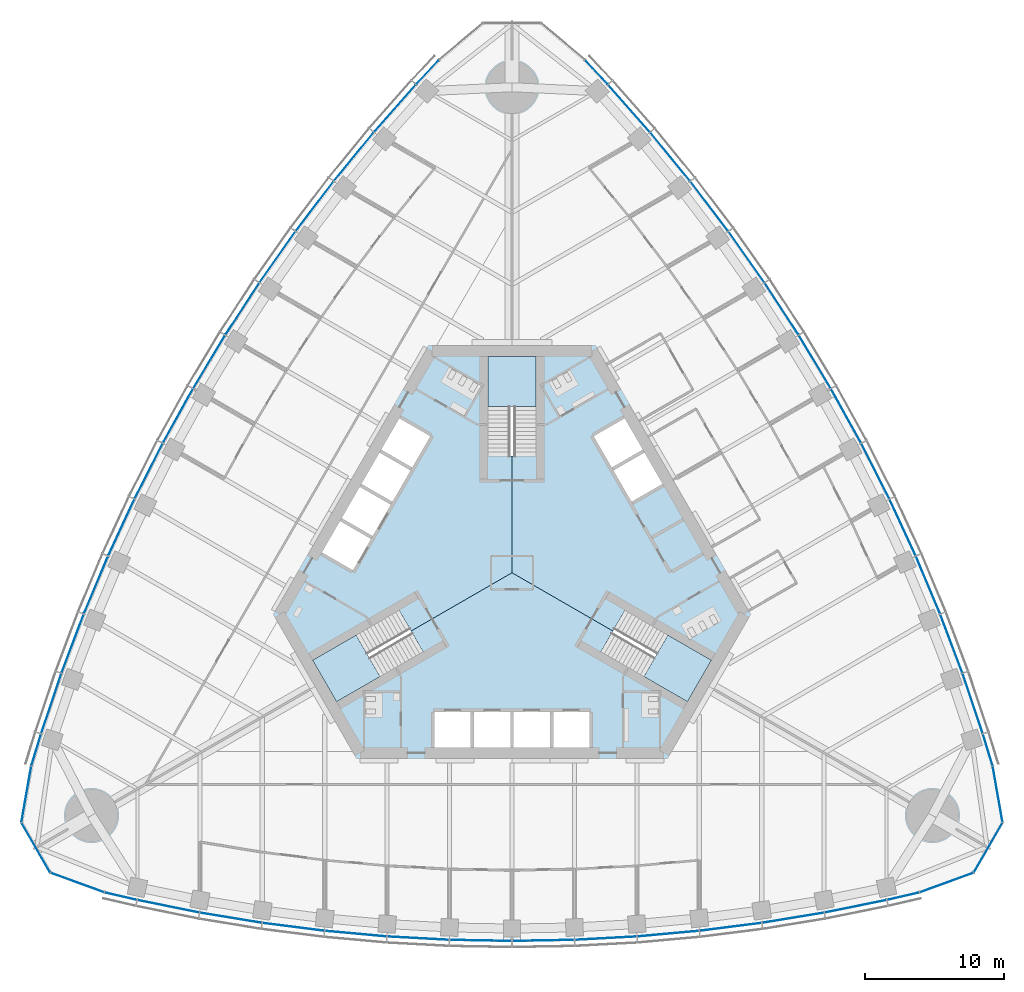
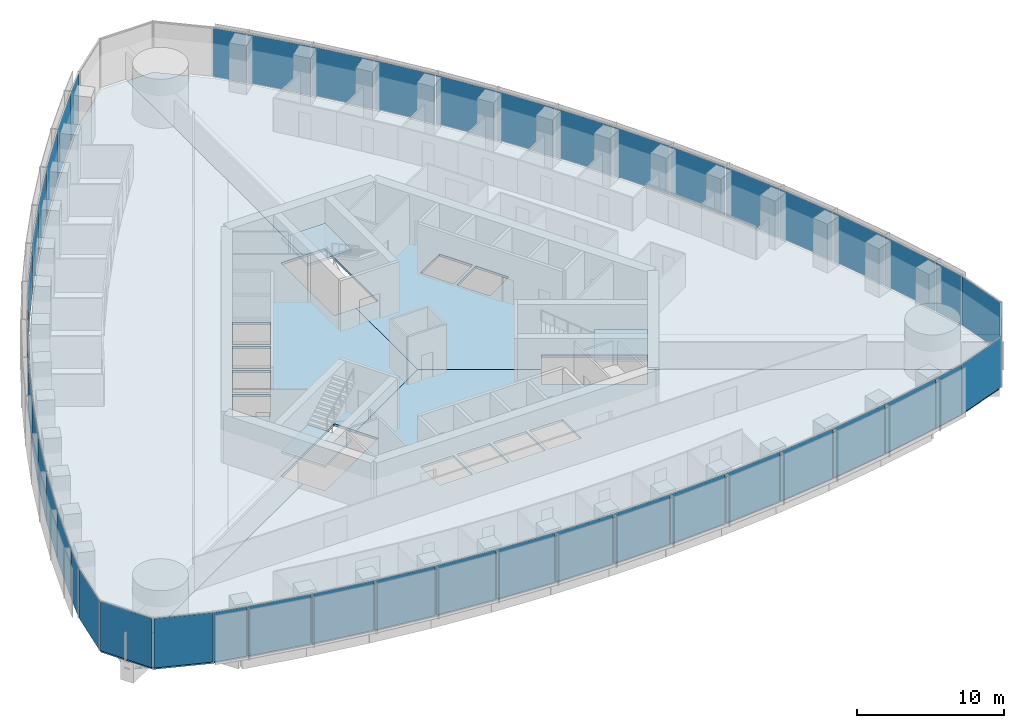
# One storey, part 10 of 21: 48 plates, 6 slabs, 8 elements without a shape of their own.
"""IFC4 building model written with IfcOpenShell, lengths in metres."""

from ifc_helpers import new_model, si_unit, direction, frame, origin, origin_2d, place, context, subcontext, project, spatial, polyline, rectangle, outline, extrude, material, layer, layer_set, type_object, element, aggregate, save


model = new_model("IFC4")

# Units and contexts
model_context = context("Model", 3, precision=1e-05, world=origin(), true_north=direction((0.0, 1.0)))
body_context = subcontext(model_context, "Body", "Model", "MODEL_VIEW")
ifc_project = project(units=[si_unit("LENGTHUNIT", "METRE"), si_unit("AREAUNIT", "SQUARE_METRE"), si_unit("VOLUMEUNIT", "CUBIC_METRE"), si_unit("PLANEANGLEUNIT", "RADIAN"), si_unit("MASSUNIT", "GRAM", prefix="KILO")], contexts=[model_context])

# Site, building, storey
site_placement = place(None, origin())
site = spatial("IfcSite", under=ifc_project, at=site_placement, CompositionType="ELEMENT")
building_placement = place(site_placement, origin())
building = spatial("IfcBuilding", under=site, at=building_placement, Name="Trefoil Bronze Tower", CompositionType="ELEMENT")
storey_placement = place(building_placement, frame((0.0, 0.0, 153.5)))
storey = spatial("IfcBuildingStorey", under=building, at=storey_placement, Name="L35", CompositionType="ELEMENT", Elevation=153.5)

# Curtain wall, plates
ifc_material_1 = material(Name="Tinted solar-control glass", Category="glass")
curtain_wall_type_1 = type_object("IfcCurtainWallType", Name="Bronze office curtain wall", PredefinedType="USERDEFINED", material=ifc_material_1)
curtain_wall_1_placement = place(storey_placement, origin())
curtain_wall_1 = element("IfcCurtainWall", 1, at=curtain_wall_1_placement, inside=storey, type_object=curtain_wall_type_1, Name="CW-A L35 F1", ObjectType="CURTAIN WALL", PredefinedType="USERDEFINED")
ifc_material_2 = material(Name="Tinted solar-control glass", Category="glass")
ifc_layer_1 = layer(ifc_material_2, 0.030029296875)
ifc_layer_set_1 = layer_set([ifc_layer_1], Name="Bronze office curtain wall glass panel")
plate_type_1 = type_object("IfcPlateType", Name="Bronze office curtain wall glass panel", PredefinedType="CURTAIN_PANEL", material=ifc_layer_set_1)
plate_1_placement = place(storey_placement, frame((-28.201416015625, -23.320068359375, 0.0), z_axis=(0.0, 0.0, 1.0), x_axis=(0.97420444715, -0.225667222151, 0.0)))
plate_1 = element("IfcPlate", 2, at=plate_1_placement, type_object=plate_type_1, Name="CW-A L35 F1 panel 1", PredefinedType="CURTAIN_PANEL", context=body_context, shape_type="SweptSolid", body=[
    extrude(rectangle(XDim=2.340087890625, YDim=0.030029296875, at=origin_2d()), origin(), (0.0, 0.0, 1.0), 4.080078125),
])
plate_2_placement = place(storey_placement, frame((-24.769775390625, -24.048828125, 0.0), z_axis=(0.0, 0.0, 1.0), x_axis=(0.980155155547, -0.198231861853, 0.0)))
plate_2 = element("IfcPlate", 3, at=plate_2_placement, type_object=plate_type_1, Name="CW-A L35 F1 panel 2", PredefinedType="CURTAIN_PANEL", context=body_context, shape_type="SweptSolid", body=[
    extrude(rectangle(XDim=4.51123046875, YDim=0.030029296875, at=origin_2d()), origin(), (0.0, 0.0, 1.0), 4.080078125),
])
plate_3_placement = place(storey_placement, frame((-20.26611328125, -24.87451171875, 0.0), z_axis=(0.0, 0.0, 1.0), x_axis=(0.986759655731, -0.162189339418, 0.0)))
plate_3 = element("IfcPlate", 4, at=plate_3_placement, type_object=plate_type_1, Name="CW-A L35 F1 panel 3", PredefinedType="CURTAIN_PANEL", context=body_context, shape_type="SweptSolid", body=[
    extrude(rectangle(XDim=4.48046875, YDim=0.030029296875, at=origin_2d()), origin(), (0.0, 0.0, 1.0), 4.080078125),
])
plate_4_placement = place(storey_placement, frame((-15.7626953125, -25.53076171875, 0.0), z_axis=(0.0, 0.0, 1.0), x_axis=(0.992011554286, -0.126147041833, 0.0)))
plate_4 = element("IfcPlate", 5, at=plate_4_placement, type_object=plate_type_1, Name="CW-A L35 F1 panel 4", PredefinedType="CURTAIN_PANEL", context=body_context, shape_type="SweptSolid", body=[
    extrude(rectangle(XDim=4.456298828125, YDim=0.030029296875, at=origin_2d()), origin(), (0.0, 0.0, 1.0), 4.080078125),
])
plate_5_placement = place(storey_placement, frame((-11.259033203125, -26.02099609375, 0.0), z_axis=(0.0, 0.0, 1.0), x_axis=(0.995932279146, -0.090104913044, 0.0)))
plate_5 = element("IfcPlate", 6, at=plate_5_placement, type_object=plate_type_1, Name="CW-A L35 F1 panel 5", PredefinedType="CURTAIN_PANEL", context=body_context, shape_type="SweptSolid", body=[
    extrude(rectangle(XDim=4.4384765625, YDim=0.030029296875, at=origin_2d()), origin(), (0.0, 0.0, 1.0), 4.080078125),
])
plate_6_placement = place(storey_placement, frame((-6.75537109375, -26.3466796875, 0.0), z_axis=(0.0, 0.0, 1.0), x_axis=(0.998537531923, -0.054062901701, 0.0)))
plate_6 = element("IfcPlate", 7, at=plate_6_placement, type_object=plate_type_1, Name="CW-A L35 F1 panel 6", PredefinedType="CURTAIN_PANEL", context=body_context, shape_type="SweptSolid", body=[
    extrude(rectangle(XDim=4.426513671875, YDim=0.030029296875, at=origin_2d()), origin(), (0.0, 0.0, 1.0), 4.080078125),
])
plate_7_placement = place(storey_placement, frame((-2.251708984375, -26.509033203125, 0.0), z_axis=(0.0, 0.0, 1.0), x_axis=(0.999837609322, -0.018020959612, 0.0)))
plate_7 = element("IfcPlate", 8, at=plate_7_placement, type_object=plate_type_1, Name="CW-A L35 F1 panel 7", PredefinedType="CURTAIN_PANEL", context=body_context, shape_type="SweptSolid", body=[
    extrude(rectangle(XDim=4.420654296875, YDim=0.030029296875, at=origin_2d()), origin(), (0.0, 0.0, 1.0), 4.080078125),
])
plate_8_placement = place(storey_placement, frame((2.251708984375, -26.509033203125, 0.0), z_axis=(0.0, 0.0, 1.0), x_axis=(0.999837609322, 0.018020959612, 0.0)))
plate_8 = element("IfcPlate", 9, at=plate_8_placement, type_object=plate_type_1, Name="CW-A L35 F1 panel 8", PredefinedType="CURTAIN_PANEL", context=body_context, shape_type="SweptSolid", body=[
    extrude(rectangle(XDim=4.420654296875, YDim=0.030029296875, at=origin_2d()), origin(), (0.0, 0.0, 1.0), 4.080078125),
])
plate_9_placement = place(storey_placement, frame((6.75537109375, -26.3466796875, 0.0), z_axis=(0.0, 0.0, 1.0), x_axis=(0.998537531923, 0.054062901701, 0.0)))
plate_9 = element("IfcPlate", 10, at=plate_9_placement, type_object=plate_type_1, Name="CW-A L35 F1 panel 9", PredefinedType="CURTAIN_PANEL", context=body_context, shape_type="SweptSolid", body=[
    extrude(rectangle(XDim=4.426513671875, YDim=0.030029296875, at=origin_2d()), origin(), (0.0, 0.0, 1.0), 4.080078125),
])
plate_10_placement = place(storey_placement, frame((11.259033203125, -26.02099609375, 0.0), z_axis=(0.0, 0.0, 1.0), x_axis=(0.995932279146, 0.090104913044, 0.0)))
plate_10 = element("IfcPlate", 11, at=plate_10_placement, type_object=plate_type_1, Name="CW-A L35 F1 panel 10", PredefinedType="CURTAIN_PANEL", context=body_context, shape_type="SweptSolid", body=[
    extrude(rectangle(XDim=4.4384765625, YDim=0.030029296875, at=origin_2d()), origin(), (0.0, 0.0, 1.0), 4.080078125),
])
plate_11_placement = place(storey_placement, frame((15.7626953125, -25.53076171875, 0.0), z_axis=(0.0, 0.0, 1.0), x_axis=(0.992011554286, 0.126147041833, 0.0)))
plate_11 = element("IfcPlate", 12, at=plate_11_placement, type_object=plate_type_1, Name="CW-A L35 F1 panel 11", PredefinedType="CURTAIN_PANEL", context=body_context, shape_type="SweptSolid", body=[
    extrude(rectangle(XDim=4.456298828125, YDim=0.030029296875, at=origin_2d()), origin(), (0.0, 0.0, 1.0), 4.080078125),
])
plate_12_placement = place(storey_placement, frame((20.26611328125, -24.87451171875, 0.0), z_axis=(0.0, 0.0, 1.0), x_axis=(0.986759655731, 0.162189339418, 0.0)))
plate_12 = element("IfcPlate", 13, at=plate_12_placement, type_object=plate_type_1, Name="CW-A L35 F1 panel 12", PredefinedType="CURTAIN_PANEL", context=body_context, shape_type="SweptSolid", body=[
    extrude(rectangle(XDim=4.48046875, YDim=0.030029296875, at=origin_2d()), origin(), (0.0, 0.0, 1.0), 4.080078125),
])
plate_13_placement = place(storey_placement, frame((24.769775390625, -24.048828125, 0.0), z_axis=(0.0, 0.0, 1.0), x_axis=(0.980155155547, 0.198231861853, 0.0)))
plate_13 = element("IfcPlate", 14, at=plate_13_placement, type_object=plate_type_1, Name="CW-A L35 F1 panel 13", PredefinedType="CURTAIN_PANEL", context=body_context, shape_type="SweptSolid", body=[
    extrude(rectangle(XDim=4.51123046875, YDim=0.030029296875, at=origin_2d()), origin(), (0.0, 0.0, 1.0), 4.080078125),
])
plate_14_placement = place(storey_placement, frame((28.201416015625, -23.320068359375, 0.0), z_axis=(0.0, 0.0, 1.0), x_axis=(0.97420444715, 0.225667222151, 0.0)))
plate_14 = element("IfcPlate", 15, at=plate_14_placement, type_object=plate_type_1, Name="CW-A L35 F1 panel 14", PredefinedType="CURTAIN_PANEL", context=body_context, shape_type="SweptSolid", body=[
    extrude(rectangle(XDim=2.340087890625, YDim=0.030029296875, at=origin_2d()), origin(), (0.0, 0.0, 1.0), 4.080078125),
])
aggregate(curtain_wall_1, [plate_1, plate_2, plate_3, plate_4, plate_5, plate_6, plate_7, plate_8, plate_9, plate_10, plate_11, plate_12, plate_13, plate_14])

curtain_wall_2_placement = place(storey_placement, origin())
curtain_wall_2 = element("IfcCurtainWall", 16, at=curtain_wall_2_placement, inside=storey, type_object=curtain_wall_type_1, Name="CW-A L35 F2", ObjectType="CURTAIN WALL", PredefinedType="USERDEFINED")
plate_15_placement = place(storey_placement, frame((34.296630859375, -12.762939453125, 0.0), z_axis=(0.0, 0.0, 1.0), x_axis=(-0.291668676391, 0.956519410787, 0.0)))
plate_15 = element("IfcPlate", 17, at=plate_15_placement, type_object=plate_type_1, Name="CW-A L35 F2 panel 1", PredefinedType="CURTAIN_PANEL", context=body_context, shape_type="SweptSolid", body=[
    extrude(rectangle(XDim=2.340087890625, YDim=0.030029296875, at=origin_2d()), origin(), (0.0, 0.0, 1.0), 4.080078125),
])
plate_16_placement = place(storey_placement, frame((33.2119140625, -9.4267578125, 0.0), z_axis=(0.0, 0.0, 1.0), x_axis=(-0.318403749569, 0.947955195281, 0.0)))
plate_16 = element("IfcPlate", 18, at=plate_16_placement, type_object=plate_type_1, Name="CW-A L35 F2 panel 2", PredefinedType="CURTAIN_PANEL", context=body_context, shape_type="SweptSolid", body=[
    extrude(rectangle(XDim=4.51123046875, YDim=0.030029296875, at=origin_2d()), origin(), (0.0, 0.0, 1.0), 4.080078125),
])
plate_17_placement = place(storey_placement, frame((31.675048828125, -5.11376953125, 0.0), z_axis=(0.0, 0.0, 1.0), x_axis=(-0.352919739707, 0.935653599002, 0.0)))
plate_17 = element("IfcPlate", 19, at=plate_17_placement, type_object=plate_type_1, Name="CW-A L35 F2 panel 3", PredefinedType="CURTAIN_PANEL", context=body_context, shape_type="SweptSolid", body=[
    extrude(rectangle(XDim=4.48046875, YDim=0.030029296875, at=origin_2d()), origin(), (0.0, 0.0, 1.0), 4.080078125),
])
plate_18_placement = place(storey_placement, frame((29.99169921875, -0.885498046875, 0.0), z_axis=(0.0, 0.0, 1.0), x_axis=(-0.386759234303, 0.922180727776, 0.0)))
plate_18 = element("IfcPlate", 20, at=plate_18_placement, type_object=plate_type_1, Name="CW-A L35 F2 panel 4", PredefinedType="CURTAIN_PANEL", context=body_context, shape_type="SweptSolid", body=[
    extrude(rectangle(XDim=4.456298828125, YDim=0.030029296875, at=origin_2d()), origin(), (0.0, 0.0, 1.0), 4.080078125),
])
plate_19_placement = place(storey_placement, frame((28.164306640625, 3.260009765625, 0.0), z_axis=(0.0, 0.0, 1.0), x_axis=(-0.419932995871, 0.907555110712, 0.0)))
plate_19 = element("IfcPlate", 21, at=plate_19_placement, type_object=plate_type_1, Name="CW-A L35 F2 panel 5", PredefinedType="CURTAIN_PANEL", context=body_context, shape_type="SweptSolid", body=[
    extrude(rectangle(XDim=4.4384765625, YDim=0.030029296875, at=origin_2d()), origin(), (0.0, 0.0, 1.0), 4.080078125),
])
plate_20_placement = place(storey_placement, frame((26.194580078125, 7.322998046875, 0.0), z_axis=(0.0, 0.0, 1.0), x_axis=(-0.452448919686, 0.891790320128, 0.0)))
plate_20 = element("IfcPlate", 22, at=plate_20_placement, type_object=plate_type_1, Name="CW-A L35 F2 panel 6", PredefinedType="CURTAIN_PANEL", context=body_context, shape_type="SweptSolid", body=[
    extrude(rectangle(XDim=4.426513671875, YDim=0.030029296875, at=origin_2d()), origin(), (0.0, 0.0, 1.0), 4.080078125),
])
plate_21_placement = place(storey_placement, frame((24.08349609375, 11.304443359375, 0.0), z_axis=(0.0, 0.0, 1.0), x_axis=(-0.484312195836, 0.874895249138, 0.0)))
plate_21 = element("IfcPlate", 23, at=plate_21_placement, type_object=plate_type_1, Name="CW-A L35 F2 panel 7", PredefinedType="CURTAIN_PANEL", context=body_context, shape_type="SweptSolid", body=[
    extrude(rectangle(XDim=4.420654296875, YDim=0.030029296875, at=origin_2d()), origin(), (0.0, 0.0, 1.0), 4.080078125),
])
plate_22_placement = place(storey_placement, frame((21.83154296875, 15.20458984375, 0.0), z_axis=(0.0, 0.0, 1.0), x_axis=(-0.515525413486, 0.856874289526, 0.0)))
plate_22 = element("IfcPlate", 24, at=plate_22_placement, type_object=plate_type_1, Name="CW-A L35 F2 panel 8", PredefinedType="CURTAIN_PANEL", context=body_context, shape_type="SweptSolid", body=[
    extrude(rectangle(XDim=4.420654296875, YDim=0.030029296875, at=origin_2d()), origin(), (0.0, 0.0, 1.0), 4.080078125),
])
plate_23_placement = place(storey_placement, frame((19.439208984375, 19.023681640625, 0.0), z_axis=(0.0, 0.0, 1.0), x_axis=(-0.546088612237, 0.837727418427, 0.0)))
plate_23 = element("IfcPlate", 25, at=plate_23_placement, type_object=plate_type_1, Name="CW-A L35 F2 panel 9", PredefinedType="CURTAIN_PANEL", context=body_context, shape_type="SweptSolid", body=[
    extrude(rectangle(XDim=4.426513671875, YDim=0.030029296875, at=origin_2d()), origin(), (0.0, 0.0, 1.0), 4.080078125),
])
plate_24_placement = place(storey_placement, frame((16.9052734375, 22.760986328125, 0.0), z_axis=(0.0, 0.0, 1.0), x_axis=(-0.575999283275, 0.817450197667, 0.0)))
plate_24 = element("IfcPlate", 26, at=plate_24_placement, type_object=plate_type_1, Name="CW-A L35 F2 panel 10", PredefinedType="CURTAIN_PANEL", context=body_context, shape_type="SweptSolid", body=[
    extrude(rectangle(XDim=4.4384765625, YDim=0.030029296875, at=origin_2d()), origin(), (0.0, 0.0, 1.0), 4.080078125),
])
plate_25_placement = place(storey_placement, frame((14.22900390625, 26.416259765625, 0.0), z_axis=(0.0, 0.0, 1.0), x_axis=(-0.605252319983, 0.796033685943, 0.0)))
plate_25 = element("IfcPlate", 27, at=plate_25_placement, type_object=plate_type_1, Name="CW-A L35 F2 panel 11", PredefinedType="CURTAIN_PANEL", context=body_context, shape_type="SweptSolid", body=[
    extrude(rectangle(XDim=4.456298828125, YDim=0.030029296875, at=origin_2d()), origin(), (0.0, 0.0, 1.0), 4.080078125),
])
plate_26_placement = place(storey_placement, frame((11.40869140625, 29.98828125, 0.0), z_axis=(0.0, 0.0, 1.0), x_axis=(-0.633839916024, 0.773464259584, 0.0)))
plate_26 = element("IfcPlate", 28, at=plate_26_placement, type_object=plate_type_1, Name="CW-A L35 F2 panel 12", PredefinedType="CURTAIN_PANEL", context=body_context, shape_type="SweptSolid", body=[
    extrude(rectangle(XDim=4.48046875, YDim=0.030029296875, at=origin_2d()), origin(), (0.0, 0.0, 1.0), 4.080078125),
])
plate_27_placement = place(storey_placement, frame((8.442138671875, 33.475830078125, 0.0), z_axis=(0.0, 0.0, 1.0), x_axis=(-0.661751405978, 0.749723333428, 0.0)))
plate_27 = element("IfcPlate", 29, at=plate_27_placement, type_object=plate_type_1, Name="CW-A L35 F2 panel 13", PredefinedType="CURTAIN_PANEL", context=body_context, shape_type="SweptSolid", body=[
    extrude(rectangle(XDim=4.51123046875, YDim=0.030029296875, at=origin_2d()), origin(), (0.0, 0.0, 1.0), 4.080078125),
])
plate_28_placement = place(storey_placement, frame((6.09521484375, 36.083251953125, 0.0), z_axis=(0.0, 0.0, 1.0), x_axis=(-0.682535770759, 0.730852188636, 0.0)))
plate_28 = element("IfcPlate", 30, at=plate_28_placement, type_object=plate_type_1, Name="CW-A L35 F2 panel 14", PredefinedType="CURTAIN_PANEL", context=body_context, shape_type="SweptSolid", body=[
    extrude(rectangle(XDim=2.340087890625, YDim=0.030029296875, at=origin_2d()), origin(), (0.0, 0.0, 1.0), 4.080078125),
])
aggregate(curtain_wall_2, [plate_15, plate_16, plate_17, plate_18, plate_19, plate_20, plate_21, plate_22, plate_23, plate_24, plate_25, plate_26, plate_27, plate_28])

curtain_wall_3_placement = place(storey_placement, origin())
curtain_wall_3 = element("IfcCurtainWall", 31, at=curtain_wall_3_placement, inside=storey, type_object=curtain_wall_type_1, Name="CW-A L35 F3", ObjectType="CURTAIN WALL", PredefinedType="USERDEFINED")
plate_29_placement = place(storey_placement, frame((-6.09521484375, 36.083251953125, 0.0), z_axis=(0.0, 0.0, 1.0), x_axis=(-0.682535770759, -0.730852188636, 0.0)))
plate_29 = element("IfcPlate", 32, at=plate_29_placement, type_object=plate_type_1, Name="CW-A L35 F3 panel 1", PredefinedType="CURTAIN_PANEL", context=body_context, shape_type="SweptSolid", body=[
    extrude(rectangle(XDim=2.340087890625, YDim=0.030029296875, at=origin_2d()), origin(), (0.0, 0.0, 1.0), 4.080078125),
])
plate_30_placement = place(storey_placement, frame((-8.442138671875, 33.475830078125, 0.0), z_axis=(0.0, 0.0, 1.0), x_axis=(-0.661751405978, -0.749723333428, 0.0)))
plate_30 = element("IfcPlate", 33, at=plate_30_placement, type_object=plate_type_1, Name="CW-A L35 F3 panel 2", PredefinedType="CURTAIN_PANEL", context=body_context, shape_type="SweptSolid", body=[
    extrude(rectangle(XDim=4.51123046875, YDim=0.030029296875, at=origin_2d()), origin(), (0.0, 0.0, 1.0), 4.080078125),
])
plate_31_placement = place(storey_placement, frame((-11.40869140625, 29.98828125, 0.0), z_axis=(0.0, 0.0, 1.0), x_axis=(-0.633839916024, -0.773464259584, 0.0)))
plate_31 = element("IfcPlate", 34, at=plate_31_placement, type_object=plate_type_1, Name="CW-A L35 F3 panel 3", PredefinedType="CURTAIN_PANEL", context=body_context, shape_type="SweptSolid", body=[
    extrude(rectangle(XDim=4.48046875, YDim=0.030029296875, at=origin_2d()), origin(), (0.0, 0.0, 1.0), 4.080078125),
])
plate_32_placement = place(storey_placement, frame((-14.22900390625, 26.416259765625, 0.0), z_axis=(0.0, 0.0, 1.0), x_axis=(-0.605252319983, -0.796033685943, 0.0)))
plate_32 = element("IfcPlate", 35, at=plate_32_placement, type_object=plate_type_1, Name="CW-A L35 F3 panel 4", PredefinedType="CURTAIN_PANEL", context=body_context, shape_type="SweptSolid", body=[
    extrude(rectangle(XDim=4.456298828125, YDim=0.030029296875, at=origin_2d()), origin(), (0.0, 0.0, 1.0), 4.080078125),
])
plate_33_placement = place(storey_placement, frame((-16.9052734375, 22.760986328125, 0.0), z_axis=(0.0, 0.0, 1.0), x_axis=(-0.575999283275, -0.817450197667, 0.0)))
plate_33 = element("IfcPlate", 36, at=plate_33_placement, type_object=plate_type_1, Name="CW-A L35 F3 panel 5", PredefinedType="CURTAIN_PANEL", context=body_context, shape_type="SweptSolid", body=[
    extrude(rectangle(XDim=4.4384765625, YDim=0.030029296875, at=origin_2d()), origin(), (0.0, 0.0, 1.0), 4.080078125),
])
plate_34_placement = place(storey_placement, frame((-19.439208984375, 19.023681640625, 0.0), z_axis=(0.0, 0.0, 1.0), x_axis=(-0.546088612237, -0.837727418427, 0.0)))
plate_34 = element("IfcPlate", 37, at=plate_34_placement, type_object=plate_type_1, Name="CW-A L35 F3 panel 6", PredefinedType="CURTAIN_PANEL", context=body_context, shape_type="SweptSolid", body=[
    extrude(rectangle(XDim=4.426513671875, YDim=0.030029296875, at=origin_2d()), origin(), (0.0, 0.0, 1.0), 4.080078125),
])
plate_35_placement = place(storey_placement, frame((-21.83154296875, 15.20458984375, 0.0), z_axis=(0.0, 0.0, 1.0), x_axis=(-0.515525413486, -0.856874289526, 0.0)))
plate_35 = element("IfcPlate", 38, at=plate_35_placement, type_object=plate_type_1, Name="CW-A L35 F3 panel 7", PredefinedType="CURTAIN_PANEL", context=body_context, shape_type="SweptSolid", body=[
    extrude(rectangle(XDim=4.420654296875, YDim=0.030029296875, at=origin_2d()), origin(), (0.0, 0.0, 1.0), 4.080078125),
])
plate_36_placement = place(storey_placement, frame((-24.08349609375, 11.304443359375, 0.0), z_axis=(0.0, 0.0, 1.0), x_axis=(-0.484312195836, -0.874895249138, 0.0)))
plate_36 = element("IfcPlate", 39, at=plate_36_placement, type_object=plate_type_1, Name="CW-A L35 F3 panel 8", PredefinedType="CURTAIN_PANEL", context=body_context, shape_type="SweptSolid", body=[
    extrude(rectangle(XDim=4.420654296875, YDim=0.030029296875, at=origin_2d()), origin(), (0.0, 0.0, 1.0), 4.080078125),
])
plate_37_placement = place(storey_placement, frame((-26.194580078125, 7.322998046875, 0.0), z_axis=(0.0, 0.0, 1.0), x_axis=(-0.452448919686, -0.891790320128, 0.0)))
plate_37 = element("IfcPlate", 40, at=plate_37_placement, type_object=plate_type_1, Name="CW-A L35 F3 panel 9", PredefinedType="CURTAIN_PANEL", context=body_context, shape_type="SweptSolid", body=[
    extrude(rectangle(XDim=4.426513671875, YDim=0.030029296875, at=origin_2d()), origin(), (0.0, 0.0, 1.0), 4.080078125),
])
plate_38_placement = place(storey_placement, frame((-28.164306640625, 3.260009765625, 0.0), z_axis=(0.0, 0.0, 1.0), x_axis=(-0.419932995871, -0.907555110712, 0.0)))
plate_38 = element("IfcPlate", 41, at=plate_38_placement, type_object=plate_type_1, Name="CW-A L35 F3 panel 10", PredefinedType="CURTAIN_PANEL", context=body_context, shape_type="SweptSolid", body=[
    extrude(rectangle(XDim=4.4384765625, YDim=0.030029296875, at=origin_2d()), origin(), (0.0, 0.0, 1.0), 4.080078125),
])
plate_39_placement = place(storey_placement, frame((-29.99169921875, -0.885498046875, 0.0), z_axis=(0.0, 0.0, 1.0), x_axis=(-0.386759234303, -0.922180727776, 0.0)))
plate_39 = element("IfcPlate", 42, at=plate_39_placement, type_object=plate_type_1, Name="CW-A L35 F3 panel 11", PredefinedType="CURTAIN_PANEL", context=body_context, shape_type="SweptSolid", body=[
    extrude(rectangle(XDim=4.456298828125, YDim=0.030029296875, at=origin_2d()), origin(), (0.0, 0.0, 1.0), 4.080078125),
])
plate_40_placement = place(storey_placement, frame((-31.675048828125, -5.11376953125, 0.0), z_axis=(0.0, 0.0, 1.0), x_axis=(-0.352919739707, -0.935653599002, 0.0)))
plate_40 = element("IfcPlate", 43, at=plate_40_placement, type_object=plate_type_1, Name="CW-A L35 F3 panel 12", PredefinedType="CURTAIN_PANEL", context=body_context, shape_type="SweptSolid", body=[
    extrude(rectangle(XDim=4.48046875, YDim=0.030029296875, at=origin_2d()), origin(), (0.0, 0.0, 1.0), 4.080078125),
])
plate_41_placement = place(storey_placement, frame((-33.2119140625, -9.4267578125, 0.0), z_axis=(0.0, 0.0, 1.0), x_axis=(-0.318403749569, -0.947955195281, 0.0)))
plate_41 = element("IfcPlate", 44, at=plate_41_placement, type_object=plate_type_1, Name="CW-A L35 F3 panel 13", PredefinedType="CURTAIN_PANEL", context=body_context, shape_type="SweptSolid", body=[
    extrude(rectangle(XDim=4.51123046875, YDim=0.030029296875, at=origin_2d()), origin(), (0.0, 0.0, 1.0), 4.080078125),
])
plate_42_placement = place(storey_placement, frame((-34.296630859375, -12.762939453125, 0.0), z_axis=(0.0, 0.0, 1.0), x_axis=(-0.291668676391, -0.956519410787, 0.0)))
plate_42 = element("IfcPlate", 45, at=plate_42_placement, type_object=plate_type_1, Name="CW-A L35 F3 panel 14", PredefinedType="CURTAIN_PANEL", context=body_context, shape_type="SweptSolid", body=[
    extrude(rectangle(XDim=2.340087890625, YDim=0.030029296875, at=origin_2d()), origin(), (0.0, 0.0, 1.0), 4.080078125),
])
aggregate(curtain_wall_3, [plate_29, plate_30, plate_31, plate_32, plate_33, plate_34, plate_35, plate_36, plate_37, plate_38, plate_39, plate_40, plate_41, plate_42])

ifc_material_3 = material(Name="Tinted solar-control glass", Category="glass")
curtain_wall_type_2 = type_object("IfcCurtainWallType", Name="Bronze rounded corner curtain wall", PredefinedType="USERDEFINED", material=ifc_material_3)
curtain_wall_4_placement = place(storey_placement, origin())
curtain_wall_4 = element("IfcCurtainWall", 46, at=curtain_wall_4_placement, inside=storey, type_object=curtain_wall_type_2, Name="CW-B L35 K1", ObjectType="CURTAIN WALL", PredefinedType="USERDEFINED")
ifc_material_4 = material(Name="Tinted solar-control glass", Category="glass")
ifc_layer_2 = layer(ifc_material_4, 0.030029296875)
ifc_layer_set_2 = layer_set([ifc_layer_2], Name="Bronze rounded corner curtain wall glass panel")
plate_type_2 = type_object("IfcPlateType", Name="Bronze rounded corner curtain wall glass panel", PredefinedType="CURTAIN_PANEL", material=ifc_layer_set_2)
plate_43_placement = place(storey_placement, frame((31.3203125, -22.341796875, 0.0), z_axis=(0.0, 0.0, 1.0), x_axis=(0.939692620786, 0.342020143326, 0.0)))
plate_43 = element("IfcPlate", 47, at=plate_43_placement, type_object=plate_type_2, Name="CW-B L35 K1 panel 1", PredefinedType="CURTAIN_PANEL", context=body_context, shape_type="SweptSolid", body=[
    extrude(rectangle(XDim=4.044189453125, YDim=0.030029296875, at=origin_2d()), origin(), (0.0, 0.0, 1.0), 4.080078125),
])
plate_44_placement = place(storey_placement, frame((34.3271484375, -19.81884765625, 0.0), z_axis=(0.0, 0.0, 1.0), x_axis=(0.5, 0.866025403784, 0.0)))
plate_44 = element("IfcPlate", 48, at=plate_44_placement, type_object=plate_type_2, Name="CW-B L35 K1 panel 2", PredefinedType="CURTAIN_PANEL", context=body_context, shape_type="SweptSolid", body=[
    extrude(rectangle(XDim=4.044189453125, YDim=0.030029296875, at=origin_2d()), origin(), (0.0, 0.0, 1.0), 4.080078125),
])
plate_45_placement = place(storey_placement, frame((35.0087890625, -15.953369140625, 0.0), z_axis=(0.0, 0.0, 1.0), x_axis=(-0.173648177667, 0.984807753012, 0.0)))
plate_45 = element("IfcPlate", 49, at=plate_45_placement, type_object=plate_type_2, Name="CW-B L35 K1 panel 3", PredefinedType="CURTAIN_PANEL", context=body_context, shape_type="SweptSolid", body=[
    extrude(rectangle(XDim=4.044189453125, YDim=0.030029296875, at=origin_2d()), origin(), (0.0, 0.0, 1.0), 4.080078125),
])
aggregate(curtain_wall_4, [plate_43, plate_44, plate_45])

curtain_wall_5_placement = place(storey_placement, origin())
curtain_wall_5 = element("IfcCurtainWall", 50, at=curtain_wall_5_placement, inside=storey, type_object=curtain_wall_type_2, Name="CW-B L35 K3", ObjectType="CURTAIN WALL", PredefinedType="USERDEFINED")
plate_46_placement = place(storey_placement, frame((-35.0087890625, -15.953369140625, 0.0), z_axis=(0.0, 0.0, 1.0), x_axis=(-0.173648177667, -0.984807753012, 0.0)))
plate_46 = element("IfcPlate", 51, at=plate_46_placement, type_object=plate_type_2, Name="CW-B L35 K3 panel 1", PredefinedType="CURTAIN_PANEL", context=body_context, shape_type="SweptSolid", body=[
    extrude(rectangle(XDim=4.044189453125, YDim=0.030029296875, at=origin_2d()), origin(), (0.0, 0.0, 1.0), 4.080078125),
])
plate_47_placement = place(storey_placement, frame((-34.3271484375, -19.81884765625, 0.0), z_axis=(0.0, 0.0, 1.0), x_axis=(0.5, -0.866025403784, 0.0)))
plate_47 = element("IfcPlate", 52, at=plate_47_placement, type_object=plate_type_2, Name="CW-B L35 K3 panel 2", PredefinedType="CURTAIN_PANEL", context=body_context, shape_type="SweptSolid", body=[
    extrude(rectangle(XDim=4.044189453125, YDim=0.030029296875, at=origin_2d()), origin(), (0.0, 0.0, 1.0), 4.080078125),
])
plate_48_placement = place(storey_placement, frame((-31.3203125, -22.341796875, 0.0), z_axis=(0.0, 0.0, 1.0), x_axis=(0.939692620786, -0.342020143326, 0.0)))
plate_48 = element("IfcPlate", 53, at=plate_48_placement, type_object=plate_type_2, Name="CW-B L35 K3 panel 3", PredefinedType="CURTAIN_PANEL", context=body_context, shape_type="SweptSolid", body=[
    extrude(rectangle(XDim=4.044189453125, YDim=0.030029296875, at=origin_2d()), origin(), (0.0, 0.0, 1.0), 4.080078125),
])
aggregate(curtain_wall_5, [plate_46, plate_47, plate_48])

# Slabs
ifc_material_5 = material(Name="Concrete B30", Category="concrete")
ifc_layer_3 = layer(ifc_material_5, 0.199951171875)
ifc_layer_set_3 = layer_set([ifc_layer_3], Name="Floor slab 200")
slab_type_1 = type_object("IfcSlabType", Name="Floor slab 200", PredefinedType="FLOOR", material=ifc_layer_set_3)
slab_1_placement = place(storey_placement, frame((0.0, 0.0, -0.199951171875)))
element("IfcSlab", 54, at=slab_1_placement, inside=storey, type_object=slab_type_1, Name="Floor slab L35 face 1", PredefinedType="FLOOR", context=body_context, shape_type="SweptSolid", body=[
    extrude(outline(polyline([(22.5, -24.406005859375), (18.0, -25.1455078125), (13.5, -25.7177734375), (9.0, -26.125), (4.5, -26.36865234375), (0.0, -26.44970703125), (-4.5, -26.36865234375), (-9.0, -26.125), (-13.5, -25.7177734375), (-18.0, -25.1455078125), (-22.5, -24.406005859375), (-27.0, -23.495849609375), (-29.357666015625, -22.94970703125), (-33.21435546875, -21.5458984375), (-34.240478515625, -19.768798828125), (-13.510009765625, -7.800048828125), (-12.6474609375, -9.2939453125), (-6.412109375, -5.69384765625), (-7.274658203125, -4.199951171875), (0.0, 0.0), (7.274658203125, -4.199951171875), (6.412109375, -5.69384765625), (12.6474609375, -9.2939453125), (13.510009765625, -7.800048828125), (34.240478515625, -19.768798828125), (33.21435546875, -21.5458984375), (29.357666015625, -22.94970703125), (27.0, -23.495849609375), (22.5, -24.406005859375)]), holes=[polyline([(-5.574951171875, -10.02490234375), (-2.97509765625, -10.02490234375), (-2.97509765625, -12.60009765625), (-5.574951171875, -12.60009765625), (-5.574951171875, -10.02490234375)]), polyline([(-2.72509765625, -10.02490234375), (-0.125, -10.02490234375), (-0.125, -12.60009765625), (-2.72509765625, -12.60009765625), (-2.72509765625, -10.02490234375)]), polyline([(0.125, -10.02490234375), (2.72509765625, -10.02490234375), (2.72509765625, -12.60009765625), (0.125, -12.60009765625), (0.125, -10.02490234375)]), polyline([(2.97509765625, -10.02490234375), (5.574951171875, -10.02490234375), (5.574951171875, -12.60009765625), (2.97509765625, -12.60009765625), (2.97509765625, -10.02490234375)])]), origin(), (0.0, 0.0, 1.0), 0.199951171875),
])
slab_2_placement = place(storey_placement, frame((0.0, 0.0, -0.199951171875)))
element("IfcSlab", 55, at=slab_2_placement, inside=storey, type_object=slab_type_1, Name="Floor slab L35 face 2", PredefinedType="FLOOR", context=body_context, shape_type="SweptSolid", body=[
    extrude(outline(polyline([(9.88623046875, 31.6884765625), (12.776611328125, 28.1611328125), (15.522216796875, 24.55029296875), (18.124755859375, 20.856689453125), (20.5859375, 17.081298828125), (22.906005859375, 13.224853515625), (25.0859375, 9.287109375), (27.124755859375, 5.268310546875), (29.022216796875, 1.16748046875), (30.776611328125, -3.015625), (32.38623046875, -7.28271484375), (33.847900390625, -11.634765625), (34.553955078125, -13.94970703125), (35.2666015625, -17.991455078125), (34.240478515625, -19.768798828125), (13.510009765625, -7.800048828125), (14.37255859375, -6.30615234375), (8.13720703125, -2.7060546875), (7.274658203125, -4.199951171875), (0.0, 0.0), (0.0, 8.39990234375), (1.72509765625, 8.39990234375), (1.72509765625, 15.60009765625), (0.0, 15.60009765625), (0.0, 39.53759765625), (2.052001953125, 39.53759765625), (5.196044921875, 36.8994140625), (6.847900390625, 35.130615234375), (9.88623046875, 31.6884765625)]), holes=[polyline([(8.619384765625, 5.120849609375), (7.3193359375, 7.372314453125), (9.54931640625, 8.659912109375), (10.849365234375, 6.408203125), (8.619384765625, 5.120849609375)]), polyline([(7.1943359375, 7.5888671875), (5.894287109375, 9.840576171875), (8.12451171875, 11.128173828125), (9.42431640625, 8.87646484375), (7.1943359375, 7.5888671875)])]), origin(), (0.0, 0.0, 1.0), 0.199951171875),
])
slab_3_placement = place(storey_placement, frame((0.0, 0.0, -0.199951171875)))
element("IfcSlab", 56, at=slab_3_placement, inside=storey, type_object=slab_type_1, Name="Floor slab L35 face 3", PredefinedType="FLOOR", context=body_context, shape_type="SweptSolid", body=[
    extrude(outline(polyline([(-32.38623046875, -7.28271484375), (-30.776611328125, -3.015625), (-29.022216796875, 1.16748046875), (-27.124755859375, 5.268310546875), (-25.0859375, 9.287109375), (-22.906005859375, 13.224853515625), (-20.5859375, 17.081298828125), (-18.124755859375, 20.856689453125), (-15.522216796875, 24.55029296875), (-12.776611328125, 28.1611328125), (-9.88623046875, 31.6884765625), (-6.847900390625, 35.130615234375), (-5.196044921875, 36.8994140625), (-2.052001953125, 39.53759765625), (0.0, 39.53759765625), (0.0, 15.60009765625), (-1.72509765625, 15.60009765625), (-1.72509765625, 8.39990234375), (0.0, 8.39990234375), (0.0, 0.0), (-7.274658203125, -4.199951171875), (-8.13720703125, -2.7060546875), (-14.37255859375, -6.30615234375), (-13.510009765625, -7.800048828125), (-34.240478515625, -19.768798828125), (-35.2666015625, -17.991455078125), (-34.553955078125, -13.94970703125), (-33.847900390625, -11.634765625), (-32.38623046875, -7.28271484375)]), holes=[polyline([(-5.894287109375, 9.840576171875), (-7.1943359375, 7.5888671875), (-9.42431640625, 8.87646484375), (-8.12451171875, 11.128173828125), (-5.894287109375, 9.840576171875)]), polyline([(-7.3193359375, 7.372314453125), (-8.619384765625, 5.120849609375), (-10.849365234375, 6.408203125), (-9.54931640625, 8.659912109375), (-7.3193359375, 7.372314453125)]), polyline([(-8.744384765625, 4.904296875), (-10.04443359375, 2.652587890625), (-12.2744140625, 3.940185546875), (-10.974365234375, 6.191650390625), (-8.744384765625, 4.904296875)]), polyline([(-10.16943359375, 2.43603515625), (-11.469482421875, 0.184326171875), (-13.699462890625, 1.471923828125), (-12.3994140625, 3.7236328125), (-10.16943359375, 2.43603515625)])]), origin(), (0.0, 0.0, 1.0), 0.199951171875),
])

# Stair, slab
ifc_material_6 = material(Name="Precast concrete B80", Category="concrete")
stair_type = type_object("IfcStairType", Name="Exit stair 26 risers", PredefinedType="HALF_TURN_STAIR", material=ifc_material_6)
stair_1_placement = place(storey_placement, origin())
stair_1 = element("IfcStair", 57, at=stair_1_placement, inside=storey, type_object=stair_type, Name="Stair ST1 L35", PredefinedType="HALF_TURN_STAIR")
ifc_material_7 = material(Name="Concrete B30", Category="concrete")
ifc_layer_4 = layer(ifc_material_7, 0.199951171875)
ifc_layer_set_4 = layer_set([ifc_layer_4], Name="Stair landing 200")
slab_type_2 = type_object("IfcSlabType", Name="Stair landing 200", PredefinedType="LANDING", material=ifc_layer_set_4)
slab_4_placement = place(storey_placement, frame((0.0, 0.0, 1.89990234375)))
slab_4 = element("IfcSlab", 58, at=slab_4_placement, type_object=slab_type_2, Name="ST1 landing 1", PredefinedType="LANDING", context=body_context, shape_type="SweptSolid", body=[
    extrude(outline(polyline([(9.512451171875, -7.48388671875), (12.6474609375, -9.2939453125), (14.37255859375, -6.30615234375), (11.237548828125, -4.49609375), (9.512451171875, -7.48388671875)])), origin(), (0.0, 0.0, 1.0), 0.2001953125),
])
aggregate(stair_1, [slab_4])

stair_2_placement = place(storey_placement, origin())
stair_2 = element("IfcStair", 59, at=stair_2_placement, inside=storey, type_object=stair_type, Name="Stair ST2 L35", PredefinedType="HALF_TURN_STAIR")
slab_5_placement = place(storey_placement, frame((0.0, 0.0, 1.89990234375)))
slab_5 = element("IfcSlab", 60, at=slab_5_placement, type_object=slab_type_2, Name="ST2 landing 1", PredefinedType="LANDING", context=body_context, shape_type="SweptSolid", body=[
    extrude(outline(polyline([(1.72509765625, 11.97998046875), (1.72509765625, 15.60009765625), (-1.72509765625, 15.60009765625), (-1.72509765625, 11.97998046875), (1.72509765625, 11.97998046875)])), origin(), (0.0, 0.0, 1.0), 0.2001953125),
])
aggregate(stair_2, [slab_5])

stair_3_placement = place(storey_placement, origin())
stair_3 = element("IfcStair", 61, at=stair_3_placement, inside=storey, type_object=stair_type, Name="Stair ST3 L35", PredefinedType="HALF_TURN_STAIR")
slab_6_placement = place(storey_placement, frame((0.0, 0.0, 1.89990234375)))
slab_6 = element("IfcSlab", 62, at=slab_6_placement, type_object=slab_type_2, Name="ST3 landing 1", PredefinedType="LANDING", context=body_context, shape_type="SweptSolid", body=[
    extrude(outline(polyline([(-11.237548828125, -4.49609375), (-14.37255859375, -6.30615234375), (-12.6474609375, -9.2939453125), (-9.512451171875, -7.48388671875), (-11.237548828125, -4.49609375)])), origin(), (0.0, 0.0, 1.0), 0.2001953125),
])
aggregate(stair_3, [slab_6])

save(model, "model.ifc")
